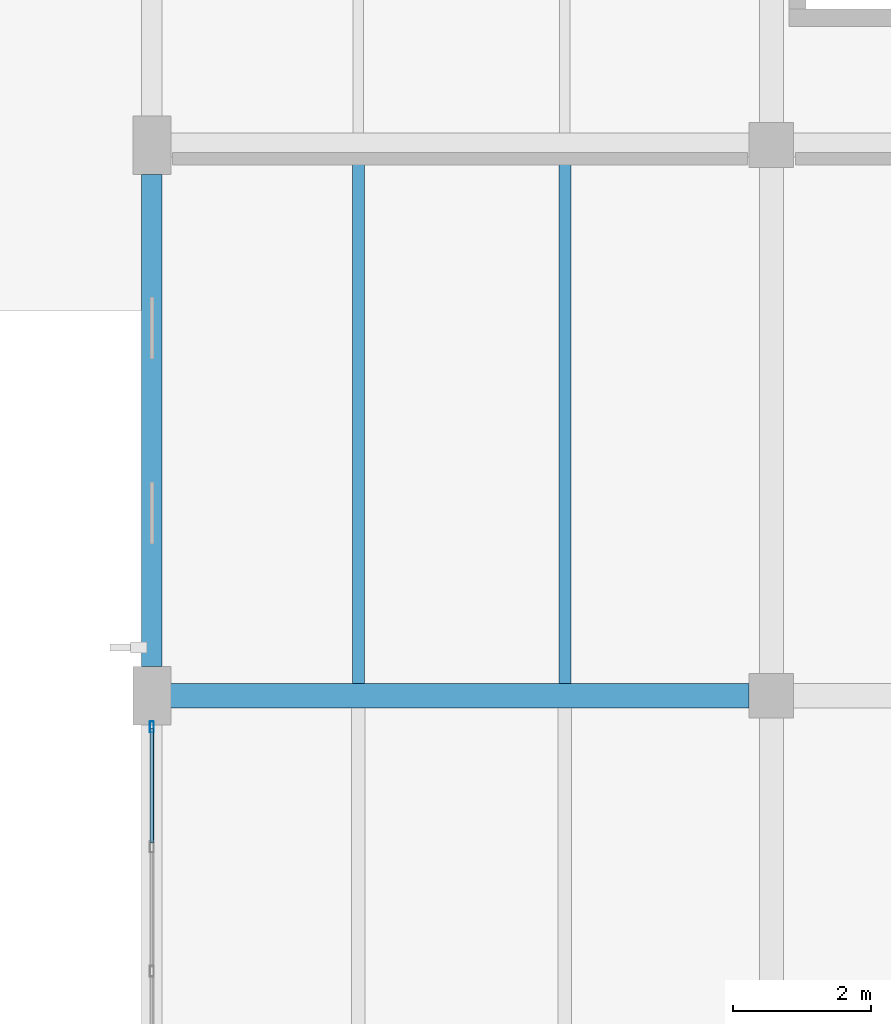
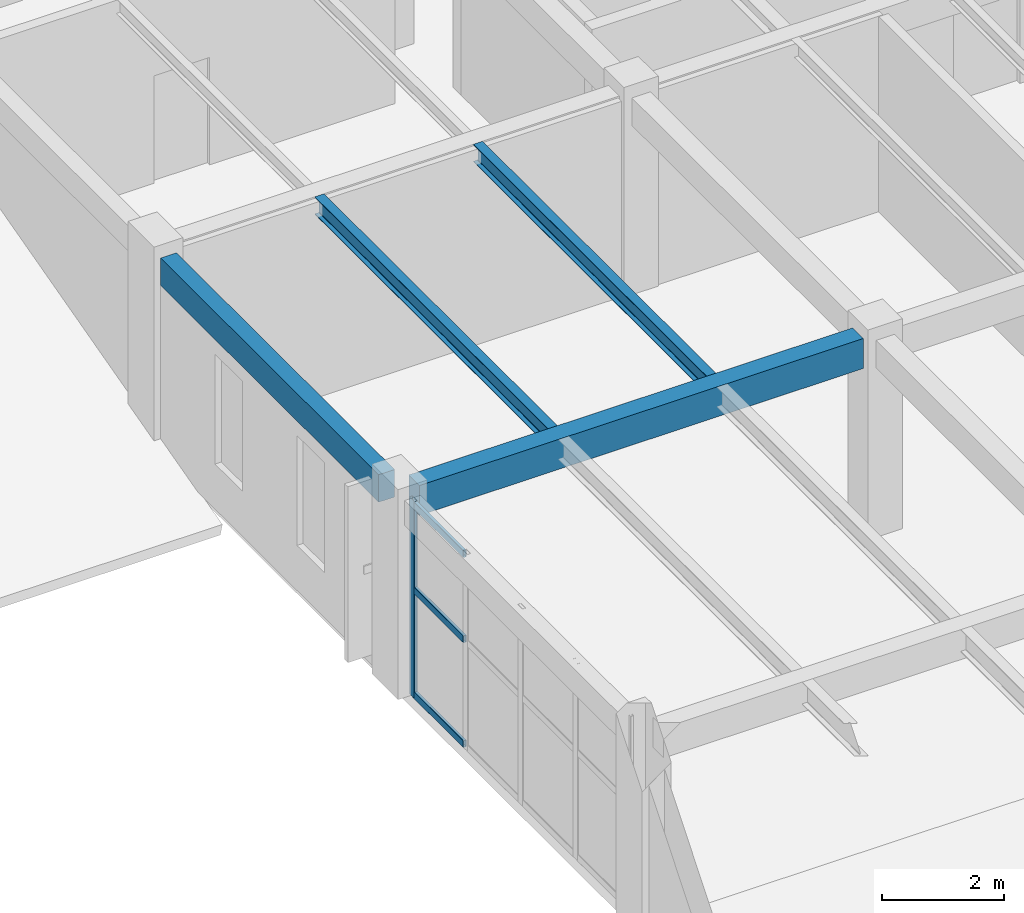
# One storey, part 41 of 71: 4 beams, 4 members, 1 element without a shape of its own.
"""IFC4 building model written with IfcOpenShell, lengths in metres."""

from ifc_helpers import new_model, si_unit, derived_unit, direction, frame, origin, origin_2d, place, context, subcontext, project, spatial, rectangle, hollow_rectangle, i_section, extrude, material, material_profile, profile_set, type_object, element, aggregate, save


model = new_model("IFC4")

# Units and contexts
model_context = context("Model", 3, precision=1e-05, world=origin(), true_north=direction((0.0, 1.0)))
body_context = subcontext(model_context, "Body", "Model", "MODEL_VIEW")
ifc_project = project(units=[si_unit("LENGTHUNIT", "METRE"), si_unit("AREAUNIT", "SQUARE_METRE"), si_unit("VOLUMEUNIT", "CUBIC_METRE"), si_unit("PLANEANGLEUNIT", "RADIAN"), si_unit("MASSUNIT", "GRAM", prefix="KILO"), derived_unit("THERMALTRANSMITTANCEUNIT", [(si_unit("MASSUNIT", "GRAM", prefix="KILO"), 1), (si_unit("TIMEUNIT", "SECOND"), -3), (si_unit("THERMODYNAMICTEMPERATUREUNIT", "KELVIN"), -1)])], contexts=[model_context])

# Site, building, storey
site_placement = place(None, origin())
site = spatial("IfcSite", under=ifc_project, at=site_placement, CompositionType="ELEMENT")
building_placement = place(site_placement, origin())
building = spatial("IfcBuilding", under=site, at=building_placement, Name="Zhenchuan Archway Interchange", CompositionType="ELEMENT")
storey_placement = place(building_placement, frame((0.0, 0.0, 18.60009765625)))
storey = spatial("IfcBuildingStorey", under=building, at=storey_placement, Name="L04", CompositionType="ELEMENT", Elevation=18.60009765625)

# Beam
ifc_material_1 = material(Name="Concrete C40", Category="concrete")
ifc_material_profile_1 = material_profile(ifc_material_1, rectangle(XDim=0.35009765625, YDim=0.60009765625, at=origin_2d()), Name="RC 350x600")
ifc_profile_set_1 = profile_set([ifc_material_profile_1], Name="Concrete C40")
beam_type_1 = type_object("IfcBeamType", Name="BM_RC_350x600", PredefinedType="BEAM", material=ifc_profile_set_1)
beam_1_placement = place(storey_placement, frame((144.27490234375, 80.0, 3.639892578125), z_axis=(1.0, 0.0, 0.0), x_axis=(0.0, 1.0, 0.0)))
element("IfcBeam", 1, at=beam_1_placement, inside=storey, type_object=beam_type_1, Name="Beam L:17-18 (L04)", PredefinedType="BEAM", context=body_context, shape_type="SweptSolid", body=[
    extrude(rectangle(XDim=0.35009765625, YDim=0.60009765625, at=origin_2d()), origin(), (0.0, 0.0, 1.0), 8.400146484375),
])

# Curtain wall, members
ifc_material_2 = material(Name="Anodised Aluminium", Category="aluminium")
curtain_wall_type = type_object("IfcCurtainWallType", Name="CW_UNIT_1", PredefinedType="NOTDEFINED", material=ifc_material_2)
curtain_wall_placement = place(storey_placement, origin())
curtain_wall = element("IfcCurtainWall", 2, at=curtain_wall_placement, inside=storey, type_object=curtain_wall_type, Name="Unitised curtain wall CW:L04:192", PredefinedType="NOTDEFINED")
ifc_material_profile_2 = material_profile(ifc_material_2, hollow_rectangle(XDim=0.06005859375, YDim=0.159912109375, WallThickness=0.00390625, InnerFilletRadius=0.00390625, OuterFilletRadius=0.008056640625, at=origin_2d()), Name="ALU 160x60x4")
ifc_profile_set_2 = profile_set([ifc_material_profile_2], Name="Anodised Aluminium")
member_type_1 = type_object("IfcMemberType", Name="CW_MUL_150", PredefinedType="MULLION", material=ifc_profile_set_2)
member_1_placement = place(storey_placement, frame((144.0, 79.547119140625, 0.0), z_axis=(0.0, 0.0, 1.0), x_axis=(1.0, 0.0, 0.0)))
member_1 = element("IfcMember", 3, at=member_1_placement, type_object=member_type_1, Name="CW:L04:192 mullion 4", PredefinedType="MULLION", context=body_context, shape_type="SweptSolid", body=[
    extrude(hollow_rectangle(XDim=0.06005859375, YDim=0.159912109375, WallThickness=0.00390625, InnerFilletRadius=0.00390625, OuterFilletRadius=0.008056640625, at=origin_2d()), origin(), (0.0, 0.0, 1.0), 3.93994140625),
])
ifc_material_profile_3 = material_profile(ifc_material_2, hollow_rectangle(XDim=0.06005859375, YDim=0.139892578125, WallThickness=0.00341796875, InnerFilletRadius=0.00341796875, OuterFilletRadius=0.007080078125, at=origin_2d()), Name="ALU 140x60x3.5")
ifc_profile_set_3 = profile_set([ifc_material_profile_3], Name="Anodised Aluminium")
member_type_2 = type_object("IfcMemberType", Name="CW_TRN_140", PredefinedType="USERDEFINED", material=ifc_profile_set_3)
member_2_placement = place(storey_placement, frame((144.0, 77.863525390625, 0.059814453125), z_axis=(0.0, 1.0, 0.0), x_axis=(-1.0, 0.0, 0.0)))
member_2 = element("IfcMember", 4, at=member_2_placement, type_object=member_type_2, Name="CW:L04:192 transom 3-1", ObjectType="TRANSOM", PredefinedType="USERDEFINED", context=body_context, shape_type="SweptSolid", body=[
    extrude(hollow_rectangle(XDim=0.06005859375, YDim=0.139892578125, WallThickness=0.00341796875, InnerFilletRadius=0.00341796875, OuterFilletRadius=0.007080078125, at=origin_2d()), origin(), (0.0, 0.0, 1.0), 1.66357421875),
])
member_3_placement = place(storey_placement, frame((144.0, 77.863525390625, 2.156005859375), z_axis=(0.0, 1.0, 0.0), x_axis=(-1.0, 0.0, 0.0)))
member_3 = element("IfcMember", 5, at=member_3_placement, type_object=member_type_2, Name="CW:L04:192 transom 3-2", ObjectType="TRANSOM", PredefinedType="USERDEFINED", context=body_context, shape_type="SweptSolid", body=[
    extrude(hollow_rectangle(XDim=0.06005859375, YDim=0.139892578125, WallThickness=0.00341796875, InnerFilletRadius=0.00341796875, OuterFilletRadius=0.007080078125, at=origin_2d()), origin(), (0.0, 0.0, 1.0), 1.66357421875),
])
member_4_placement = place(storey_placement, frame((144.0, 77.863525390625, 3.85986328125), z_axis=(0.0, 1.0, 0.0), x_axis=(-1.0, 0.0, 0.0)))
member_4 = element("IfcMember", 6, at=member_4_placement, type_object=member_type_2, Name="CW:L04:192 transom 3-3", ObjectType="TRANSOM", PredefinedType="USERDEFINED", context=body_context, shape_type="SweptSolid", body=[
    extrude(hollow_rectangle(XDim=0.06005859375, YDim=0.139892578125, WallThickness=0.00341796875, InnerFilletRadius=0.00341796875, OuterFilletRadius=0.007080078125, at=origin_2d()), origin(), (0.0, 0.0, 1.0), 1.66357421875),
])
aggregate(curtain_wall, [member_1, member_2, member_3, member_4])

# Beams
ifc_material_3 = material(Name="Steel Q355", Category="steel")
ifc_material_profile_4 = material_profile(ifc_material_3, i_section(OverallWidth=0.175048828125, OverallDepth=0.35009765625, WebThickness=0.007080078125, FlangeThickness=0.010986328125, FilletRadius=0.013916015625, at=origin_2d()), Name="HN 350x175")
ifc_profile_set_4 = profile_set([ifc_material_profile_4], Name="Steel Q355")
beam_type_2 = type_object("IfcBeamType", Name="JST_STL_HN350", PredefinedType="JOIST", material=ifc_profile_set_4)
for number, where, z_axis, x_axis, name in (
    (7, (147.0, 80.175048828125, 3.764892578125), (0.0, 1.0, 0.0), (-1.0, 0.0, 0.0), "Secondary joist 17-18/L-M #1 (L04)"),
    (8, (150.0, 80.175048828125, 3.764892578125), (0.0, 1.0, 0.0), (-1.0, 0.0, 0.0), "Secondary joist 17-18/L-M #2 (L04)"),
):
    element("IfcBeam", number, at=place(storey_placement, frame(where, z_axis=z_axis, x_axis=x_axis)), inside=storey, type_object=beam_type_2, Name=name, PredefinedType="JOIST", context=body_context, shape_type="SweptSolid", body=[
        extrude(i_section(OverallWidth=0.175048828125, OverallDepth=0.35009765625, WebThickness=0.007080078125, FlangeThickness=0.010986328125, FilletRadius=0.013916015625, at=origin_2d()), origin(), (0.0, 0.0, 1.0), 7.64990234375),
    ])
ifc_material_profile_5 = material_profile(ifc_material_1, rectangle(XDim=0.300048828125, YDim=0.550048828125, at=origin_2d()), Name="RC 300x550")
ifc_profile_set_5 = profile_set([ifc_material_profile_5], Name="Concrete C40")
beam_type_3 = type_object("IfcBeamType", Name="SP_RC_300x550", PredefinedType="SPANDREL", material=ifc_profile_set_5)
beam_2_placement = place(storey_placement, frame((144.0, 80.425048828125, 3.664794921875), z_axis=(0.0, 1.0, 0.0), x_axis=(-1.0, 0.0, 0.0)))
element("IfcBeam", 9, at=beam_2_placement, inside=storey, type_object=beam_type_3, Name="Beam 17:L-M (L04)", PredefinedType="SPANDREL", context=body_context, shape_type="SweptSolid", body=[
    extrude(rectangle(XDim=0.300048828125, YDim=0.550048828125, at=origin_2d()), origin(), (0.0, 0.0, 1.0), 7.14990234375),
])

save(model, "model.ifc")
